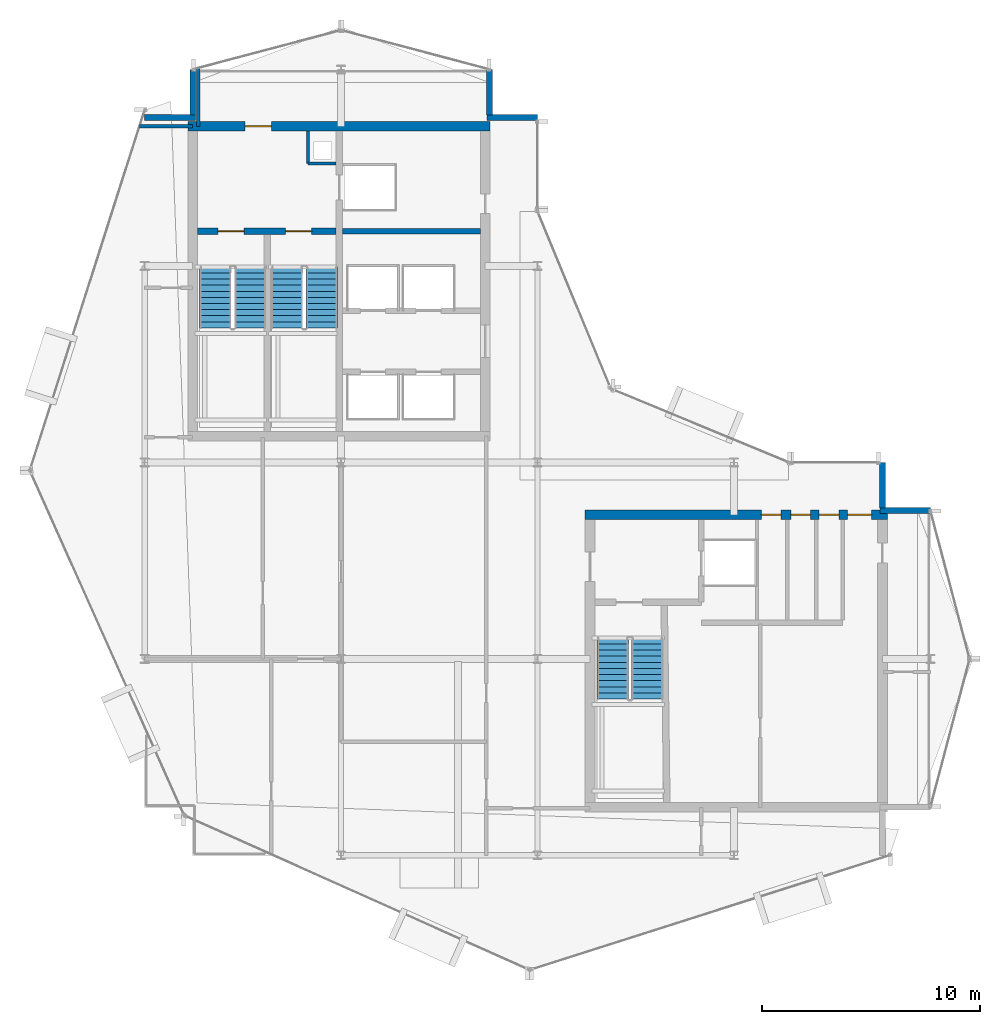
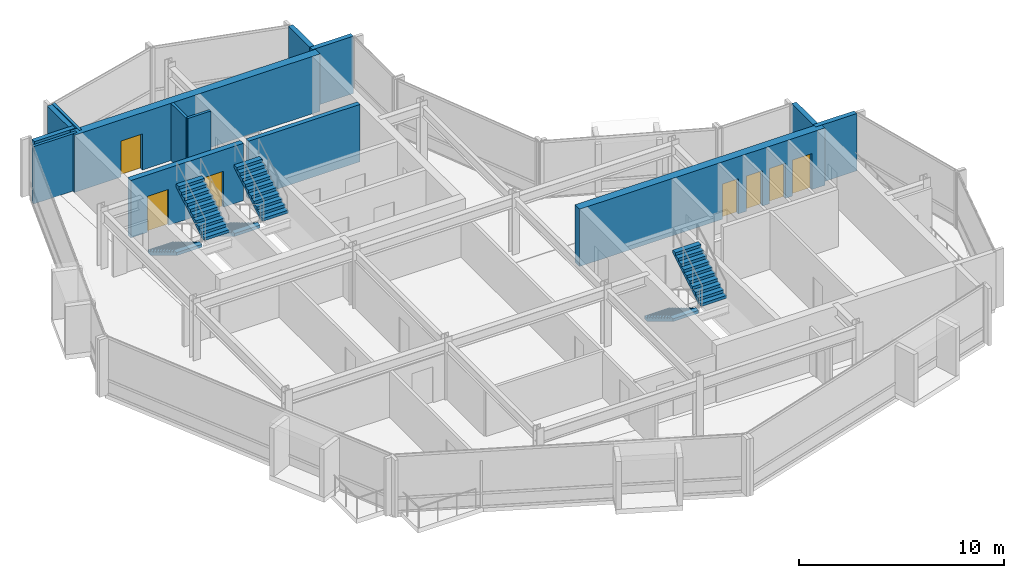
# One storey, part 15 of 19: 14 walls, 7 doors, 6 stair flights, 7 openings, 3 elements without a shape of their own.
"""IFC4 building model written with IfcOpenShell, lengths in metres."""

from ifc_helpers import new_model, si_unit, direction, frame, frame_2d, origin, place, context, subcontext, project, spatial, polyline, rectangle, outline, extrude, material, layer, layer_set, type_object, element, fill, aggregate, save


model = new_model("IFC4")

# Units and contexts
model_context = context("Model", 3, precision=1e-05, world=origin(), true_north=direction((0.0, 1.0)))
body_context = subcontext(model_context, "Body", "Model", "MODEL_VIEW")
ifc_project = project(units=[si_unit("LENGTHUNIT", "METRE"), si_unit("AREAUNIT", "SQUARE_METRE"), si_unit("VOLUMEUNIT", "CUBIC_METRE"), si_unit("PLANEANGLEUNIT", "RADIAN"), si_unit("MASSUNIT", "GRAM", prefix="KILO")], contexts=[model_context])

# Site, building, storey
site_placement = place(None, origin())
site = spatial("IfcSite", under=ifc_project, at=site_placement, CompositionType="ELEMENT")
building_placement = place(site_placement, origin())
building = spatial("IfcBuilding", under=site, at=building_placement, Name="Solvaryn Broadcast Tower", CompositionType="ELEMENT")
storey_placement = place(building_placement, frame((0.0, 0.0, 255.60009765625)))
storey = spatial("IfcBuildingStorey", under=building, at=storey_placement, Name="L64", CompositionType="ELEMENT", Elevation=255.60009765625)

# Wall, opening, door
ifc_material_1 = material(Name="Concrete f'c 70 MPa", Category="concrete")
ifc_layer_1 = layer(ifc_material_1, 0.449951171875)
ifc_layer_set_1 = layer_set([ifc_layer_1], Name="CW-SHEAR-450")
wall_type_1 = type_object("IfcWallType", Name="CW-SHEAR-450", PredefinedType="SHEAR", material=ifc_layer_set_1)
wall_1_placement = place(storey_placement, frame((24.824951171875, 42.39990234375, 0.0), z_axis=(0.0, 0.0, 1.0), x_axis=(-1.0, 0.0, 0.0)))
wall_1 = element("IfcWall", 1, at=wall_1_placement, inside=storey, type_object=wall_type_1, Name="L64 West Core North Shear Wall", PredefinedType="SHEAR", context=body_context, shape_type="SweptSolid", body=[
    extrude(rectangle(XDim=13.849853515625, YDim=0.449951171875, at=frame_2d((6.9248046875, 0.0))), origin(), (0.0, 0.0, 1.0), 3.419921875),
])
opening_1_placement = place(wall_1_placement, frame((10.02490234375, 0.0, 0.0)))
opening_1 = element("IfcOpeningElement", 2, at=opening_1_placement, cuts=wall_1, Name="Opening FD90A", PredefinedType="OPENING", context=body_context, shape_type="SweptSolid", body=[
    extrude(rectangle(XDim=1.199951171875, YDim=2.14990234375, at=frame_2d((0.60009765625, 1.074951171875))), frame((0.0, 0.235107421875, 0.0), z_axis=(0.0, -1.0, 0.0), x_axis=(1.0, 0.0, 0.0)), (0.0, 0.0, 1.0), 0.469970703125),
])
ifc_material_2 = material(Name="Flush Acoustic Steel and Timber Door Assembly", Category="steel")
door_type_1 = type_object("IfcDoorType", Name="FD90-STAIR-1200X2150", OperationType="NOTDEFINED", PredefinedType="DOOR", material=ifc_material_2)
door_1_placement = place(opening_1_placement, origin())
door_1 = element("IfcDoor", 3, at=door_1_placement, inside=storey, type_object=door_type_1, Name="L64 West FSAE Lobby Corridor Door", OperationType="SINGLE_SWING_LEFT", OverallHeight=2.14990234375, OverallWidth=1.199951171875, PredefinedType="DOOR", context=body_context, shape_type="SweptSolid", body=[
    extrude(rectangle(XDim=1.199951171875, YDim=2.14990234375, at=frame_2d((0.60009765625, 1.074951171875))), frame((0.0, 0.02490234375, 0.0), z_axis=(0.0, -1.0, 0.0), x_axis=(1.0, 0.0, 0.0)), (0.0, 0.0, 1.0), 0.050048828125),
])
fill(opening_1, door_1)

# Wall, openings, doors
wall_2_placement = place(storey_placement, frame((43.02490234375, 24.60009765625, 0.0), z_axis=(0.0, 0.0, 1.0), x_axis=(-1.0, 0.0, 0.0)))
wall_2 = element("IfcWall", 4, at=wall_2_placement, inside=storey, type_object=wall_type_1, Name="L64 East Core North Shear Wall", PredefinedType="SHEAR", context=body_context, shape_type="SweptSolid", body=[
    extrude(rectangle(XDim=13.849853515625, YDim=0.449951171875, at=frame_2d((6.9248046875, 0.0))), origin(), (0.0, 0.0, 1.0), 3.419921875),
])
opening_2_placement = place(wall_2_placement, frame((0.72509765625, 0.0, 0.0)))
opening_2 = element("IfcOpeningElement", 5, at=opening_2_placement, cuts=wall_2, Name="Opening FD90C", PredefinedType="OPENING", context=body_context, shape_type="SweptSolid", body=[
    extrude(rectangle(XDim=1.10009765625, YDim=2.14990234375, at=frame_2d((0.550048828125, 1.074951171875))), frame((0.0, 0.235107421875, 0.0), z_axis=(0.0, -1.0, 0.0), x_axis=(1.0, 0.0, 0.0)), (0.0, 0.0, 1.0), 0.469970703125),
])
opening_3_placement = place(wall_2_placement, frame((2.22509765625, 0.0, 0.0)))
opening_3 = element("IfcOpeningElement", 6, at=opening_3_placement, cuts=wall_2, Name="Opening FD60C", PredefinedType="OPENING", context=body_context, shape_type="SweptSolid", body=[
    extrude(rectangle(XDim=0.89990234375, YDim=2.10009765625, at=frame_2d((0.449951171875, 1.050048828125))), frame((0.0, 0.235107421875, 0.0), z_axis=(0.0, -1.0, 0.0), x_axis=(1.0, 0.0, 0.0)), (0.0, 0.0, 1.0), 0.469970703125),
])
opening_4_placement = place(wall_2_placement, frame((3.52490234375, 0.0, 0.0)))
opening_4 = element("IfcOpeningElement", 7, at=opening_4_placement, cuts=wall_2, Name="Opening FD60C", PredefinedType="OPENING", context=body_context, shape_type="SweptSolid", body=[
    extrude(rectangle(XDim=0.89990234375, YDim=2.10009765625, at=frame_2d((0.449951171875, 1.050048828125))), frame((0.0, 0.235107421875, 0.0), z_axis=(0.0, -1.0, 0.0), x_axis=(1.0, 0.0, 0.0)), (0.0, 0.0, 1.0), 0.469970703125),
])
opening_5_placement = place(wall_2_placement, frame((4.875, 0.0, 0.0)))
opening_5 = element("IfcOpeningElement", 8, at=opening_5_placement, cuts=wall_2, Name="Opening FD60C", PredefinedType="OPENING", context=body_context, shape_type="SweptSolid", body=[
    extrude(rectangle(XDim=0.89990234375, YDim=2.10009765625, at=frame_2d((0.449951171875, 1.050048828125))), frame((0.0, 0.235107421875, 0.0), z_axis=(0.0, -1.0, 0.0), x_axis=(1.0, 0.0, 0.0)), (0.0, 0.0, 1.0), 0.469970703125),
])
ifc_material_3 = material(Name="Flush Acoustic Steel and Timber Door Assembly", Category="steel")
door_type_2 = type_object("IfcDoorType", Name="FD60-SERV-900X2100", OperationType="NOTDEFINED", PredefinedType="DOOR", material=ifc_material_3)
door_2_placement = place(opening_3_placement, origin())
door_2 = element("IfcDoor", 9, at=door_2_placement, inside=storey, type_object=door_type_2, Name="L64 Core Wellness Room Door", OperationType="SINGLE_SWING_RIGHT", OverallHeight=2.10009765625, OverallWidth=0.89990234375, PredefinedType="DOOR", context=body_context, shape_type="SweptSolid", body=[
    extrude(rectangle(XDim=0.89990234375, YDim=2.10009765625, at=frame_2d((0.449951171875, 1.050048828125))), frame((0.0, 0.02490234375, 0.0), z_axis=(0.0, -1.0, 0.0), x_axis=(1.0, 0.0, 0.0)), (0.0, 0.0, 1.0), 0.050048828125),
])
fill(opening_3, door_2)
door_3_placement = place(opening_4_placement, origin())
door_3 = element("IfcDoor", 10, at=door_3_placement, inside=storey, type_object=door_type_2, Name="L64 Staff Restroom Door", OperationType="SINGLE_SWING_LEFT", OverallHeight=2.10009765625, OverallWidth=0.89990234375, PredefinedType="DOOR", context=body_context, shape_type="SweptSolid", body=[
    extrude(rectangle(XDim=0.89990234375, YDim=2.10009765625, at=frame_2d((0.449951171875, 1.050048828125))), frame((0.0, 0.02490234375, 0.0), z_axis=(0.0, -1.0, 0.0), x_axis=(1.0, 0.0, 0.0)), (0.0, 0.0, 1.0), 0.050048828125),
])
fill(opening_4, door_3)
door_4_placement = place(opening_5_placement, origin())
door_4 = element("IfcDoor", 11, at=door_4_placement, inside=storey, type_object=door_type_2, Name="L64 Accessible WC Door", OperationType="SINGLE_SWING_RIGHT", OverallHeight=2.10009765625, OverallWidth=0.89990234375, PredefinedType="DOOR", context=body_context, shape_type="SweptSolid", body=[
    extrude(rectangle(XDim=0.89990234375, YDim=2.10009765625, at=frame_2d((0.449951171875, 1.050048828125))), frame((0.0, 0.02490234375, 0.0), z_axis=(0.0, -1.0, 0.0), x_axis=(1.0, 0.0, 0.0)), (0.0, 0.0, 1.0), 0.050048828125),
])
fill(opening_5, door_4)
ifc_material_4 = material(Name="Flush Acoustic Steel and Timber Door Assembly", Category="steel")
door_type_3 = type_object("IfcDoorType", Name="FD90-PLANT-1100X2150", OperationType="NOTDEFINED", PredefinedType="DOOR", material=ifc_material_4)
door_5_placement = place(opening_2_placement, origin())
door_5 = element("IfcDoor", 12, at=door_5_placement, inside=storey, type_object=door_type_3, Name="L64 East Core Lobby Corridor Door", OperationType="SINGLE_SWING_LEFT", OverallHeight=2.14990234375, OverallWidth=1.10009765625, PredefinedType="DOOR", context=body_context, shape_type="SweptSolid", body=[
    extrude(rectangle(XDim=1.10009765625, YDim=2.14990234375, at=frame_2d((0.550048828125, 1.074951171875))), frame((0.0, 0.02490234375, 0.0), z_axis=(0.0, -1.0, 0.0), x_axis=(1.0, 0.0, 0.0)), (0.0, 0.0, 1.0), 0.050048828125),
])
fill(opening_2, door_5)

# Walls
ifc_material_5 = material(Name="Concrete f'c 50 MPa", Category="concrete")
ifc_layer_2 = layer(ifc_material_5, 0.260009765625)
ifc_layer_set_2 = layer_set([ifc_layer_2], Name="EW-PIER-260")
wall_type_2 = type_object("IfcWallType", Name="EW-PIER-260", PredefinedType="SOLIDWALL", material=ifc_layer_set_2)
wall_3_placement = place(storey_placement, frame((9.0, 42.800048828125, 0.0), z_axis=(0.0, 0.0, 1.0), x_axis=(1.0, 0.0, 0.0)))
element("IfcWall", 13, at=wall_3_placement, inside=storey, type_object=wall_type_2, Name="L64 Notched Corner Pier Wall NNW1", PredefinedType="SOLIDWALL", context=body_context, shape_type="SweptSolid", body=[
    extrude(rectangle(XDim=2.320068359375, YDim=0.260009765625, at=frame_2d((1.16015625, 0.0))), origin(), (0.0, 0.0, 1.0), 3.419921875),
])
for number, where, z_axis, x_axis, name in (
    (14, (11.199951171875, 42.919921875, 0.0), (0.0, 0.0, 1.0), (0.0, 1.0, 0.0), "L64 Notched Corner Pier Wall NNW2"),
    (15, (24.800048828125, 45.0, 0.0), (0.0, 0.0, 1.0), (0.0, -1.0, 0.0), "L64 Notched Corner Pier Wall NNE1"),
):
    element("IfcWall", number, at=place(storey_placement, frame(where, z_axis=z_axis, x_axis=x_axis)), inside=storey, type_object=wall_type_2, Name=name, PredefinedType="SOLIDWALL", context=body_context, shape_type="SweptSolid", body=[
        extrude(rectangle(XDim=2.080078125, YDim=0.260009765625, at=frame_2d((1.0400390625, 0.0))), origin(), (0.0, 0.0, 1.0), 3.419921875),
    ])
for number, where, z_axis, x_axis, name in (
    (16, (24.679931640625, 42.800048828125, 0.0), (0.0, 0.0, 1.0), (1.0, 0.0, 0.0), "L64 Notched Corner Pier Wall NNE2"),
    (17, (45.0, 24.800048828125, 0.0), (0.0, 0.0, 1.0), (-1.0, 0.0, 0.0), "L64 Notched Corner Pier Wall NEE1"),
):
    element("IfcWall", number, at=place(storey_placement, frame(where, z_axis=z_axis, x_axis=x_axis)), inside=storey, type_object=wall_type_2, Name=name, PredefinedType="SOLIDWALL", context=body_context, shape_type="SweptSolid", body=[
        extrude(rectangle(XDim=2.320068359375, YDim=0.260009765625, at=frame_2d((1.16015625, 0.0))), origin(), (0.0, 0.0, 1.0), 3.419921875),
    ])
wall_4_placement = place(storey_placement, frame((42.800048828125, 24.919921875, 0.0), z_axis=(0.0, 0.0, 1.0), x_axis=(0.0, 1.0, 0.0)))
element("IfcWall", 18, at=wall_4_placement, inside=storey, type_object=wall_type_2, Name="L64 Notched Corner Pier Wall NEE2", PredefinedType="SOLIDWALL", context=body_context, shape_type="SweptSolid", body=[
    extrude(rectangle(XDim=2.080078125, YDim=0.260009765625, at=frame_2d((1.0400390625, 0.0))), origin(), (0.0, 0.0, 1.0), 3.419921875),
])
ifc_material_6 = material(Name="Metal-Stud Service Core Partition")
ifc_layer_3 = layer(ifc_material_6, 0.14990234375)
ifc_layer_set_3 = layer_set([ifc_layer_3], Name="IW-PART-150")
wall_type_3 = type_object("IfcWallType", Name="IW-PART-150", PredefinedType="PARTITIONING", material=ifc_layer_set_3)
wall_5_placement = place(storey_placement, frame((16.47998046875, 40.699951171875, 0.0), z_axis=(0.0, 0.0, 1.0), x_axis=(1.0, 0.0, 0.0)))
element("IfcWall", 19, at=wall_5_placement, inside=storey, type_object=wall_type_3, Name="L64 West Core Riser Shaft South Wall", PredefinedType="PARTITIONING", context=body_context, shape_type="SweptSolid", body=[
    extrude(rectangle(XDim=1.2900390625, YDim=0.14990234375, at=frame_2d((0.64501953125, 0.0))), origin(), (0.0, 0.0, 1.0), 3.419921875),
])
wall_6_placement = place(storey_placement, frame((16.47998046875, 40.699951171875, 0.0), z_axis=(0.0, 0.0, 1.0), x_axis=(0.0, 1.0, 0.0)))
element("IfcWall", 20, at=wall_6_placement, inside=storey, type_object=wall_type_3, Name="L64 West Core Riser Shaft West Wall", PredefinedType="PARTITIONING", context=body_context, shape_type="SweptSolid", body=[
    extrude(rectangle(XDim=1.47509765625, YDim=0.14990234375, at=frame_2d((0.737548828125, 0.0))), origin(), (0.0, 0.0, 1.0), 3.419921875),
])
ifc_material_7 = material(Name="Metal-Stud Gypsum Office Partition")
ifc_layer_4 = layer(ifc_material_7, 0.159912109375)
ifc_layer_set_4 = layer_set([ifc_layer_4], Name="IW-PART-160")
wall_type_4 = type_object("IfcWallType", Name="IW-PART-160", PredefinedType="PARTITIONING", material=ifc_layer_set_4)
wall_7_placement = place(storey_placement, frame((8.760986328125, 42.39990234375, 0.0), z_axis=(0.0, 0.0, 1.0), x_axis=(1.0, 0.0, 0.0)))
element("IfcWall", 21, at=wall_7_placement, inside=storey, type_object=wall_type_4, Name="L64 Interior Partition IW-L64-WM-N", PredefinedType="PARTITIONING", context=body_context, shape_type="SweptSolid", body=[
    extrude(rectangle(XDim=2.43896484375, YDim=0.159912109375, at=frame_2d((1.219482421875, 0.0))), origin(), (0.0, 0.0, 1.0), 3.419921875),
])
wall_8_placement = place(storey_placement, frame((11.449951171875, 42.39990234375, 0.0), z_axis=(0.0, 0.0, 1.0), x_axis=(0.0, 1.0, 0.0)))
element("IfcWall", 22, at=wall_8_placement, inside=storey, type_object=wall_type_4, Name="L64 Interior Partition IW-L64-WM-E", PredefinedType="PARTITIONING", context=body_context, shape_type="SweptSolid", body=[
    extrude(rectangle(XDim=2.666015625, YDim=0.159912109375, at=frame_2d((1.3330078125, 0.0))), origin(), (0.0, 0.0, 1.0), 3.419921875),
])
ifc_material_8 = material(Name="Concrete f'c 60 MPa", Category="concrete")
ifc_layer_5 = layer(ifc_material_8, 0.25)
ifc_layer_set_5 = layer_set([ifc_layer_5], Name="SW-SHAFT-250")
wall_type_5 = type_object("IfcWallType", Name="SW-SHAFT-250", PredefinedType="PARTITIONING", material=ifc_layer_set_5)
wall_9_placement = place(storey_placement, frame((18.070068359375, 37.60009765625, 0.0), z_axis=(0.0, 0.0, 1.0), x_axis=(1.0, 0.0, 0.0)))
element("IfcWall", 23, at=wall_9_placement, inside=storey, type_object=wall_type_5, Name="L64 West Core FSAE Hoistway Front Wall", PredefinedType="PARTITIONING", context=body_context, shape_type="SweptSolid", body=[
    extrude(rectangle(XDim=6.304931640625, YDim=0.25, at=frame_2d((3.15234375, 0.0))), origin(), (0.0, 0.0, 1.0), 3.419921875),
])

# Wall, openings, doors
ifc_material_9 = material(Name="Concrete f'c 70 MPa", Category="concrete")
ifc_layer_6 = layer(ifc_material_9, 0.300048828125)
ifc_layer_set_6 = layer_set([ifc_layer_6], Name="SW-SHAFT-300")
wall_type_6 = type_object("IfcWallType", Name="SW-SHAFT-300", PredefinedType="SHEAR", material=ifc_layer_set_6)
wall_10_placement = place(storey_placement, frame((17.77001953125, 37.60009765625, 0.0), z_axis=(0.0, 0.0, 1.0), x_axis=(-1.0, 0.0, 0.0)))
wall_10 = element("IfcWall", 24, at=wall_10_placement, inside=storey, type_object=wall_type_6, Name="L64 West Core FSAE Lobby South Wall", PredefinedType="SHEAR", context=body_context, shape_type="SweptSolid", body=[
    extrude(rectangle(XDim=6.344970703125, YDim=0.300048828125, at=frame_2d((3.17236328125, 0.0))), origin(), (0.0, 0.0, 1.0), 3.419921875),
])
opening_6_placement = place(wall_10_placement, frame((4.219970703125, 0.0, 0.0)))
opening_6 = element("IfcOpeningElement", 25, at=opening_6_placement, cuts=wall_10, Name="Opening FD90A", PredefinedType="OPENING", context=body_context, shape_type="SweptSolid", body=[
    extrude(rectangle(XDim=1.199951171875, YDim=2.14990234375, at=frame_2d((0.60009765625, 1.074951171875))), frame((0.0, 0.159912109375, 0.0), z_axis=(0.0, -1.0, 0.0), x_axis=(1.0, 0.0, 0.0)), (0.0, 0.0, 1.0), 0.320068359375),
])
opening_7_placement = place(wall_10_placement, frame((1.1201171875, 0.0, 0.0)))
opening_7 = element("IfcOpeningElement", 26, at=opening_7_placement, cuts=wall_10, Name="Opening FD90A", PredefinedType="OPENING", context=body_context, shape_type="SweptSolid", body=[
    extrude(rectangle(XDim=1.199951171875, YDim=2.14990234375, at=frame_2d((0.60009765625, 1.074951171875))), frame((0.0, 0.159912109375, 0.0), z_axis=(0.0, -1.0, 0.0), x_axis=(1.0, 0.0, 0.0)), (0.0, 0.0, 1.0), 0.320068359375),
])
door_6_placement = place(opening_6_placement, origin())
door_6 = element("IfcDoor", 27, at=door_6_placement, inside=storey, type_object=door_type_1, Name="L64 Stair 1 Fire Door", OperationType="SINGLE_SWING_LEFT", OverallHeight=2.14990234375, OverallWidth=1.199951171875, PredefinedType="DOOR", context=body_context, shape_type="SweptSolid", body=[
    extrude(rectangle(XDim=1.199951171875, YDim=2.14990234375, at=frame_2d((0.60009765625, 1.074951171875))), frame((0.0, 0.02490234375, 0.0), z_axis=(0.0, -1.0, 0.0), x_axis=(1.0, 0.0, 0.0)), (0.0, 0.0, 1.0), 0.050048828125),
])
fill(opening_6, door_6)
door_7_placement = place(opening_7_placement, origin())
door_7 = element("IfcDoor", 28, at=door_7_placement, inside=storey, type_object=door_type_1, Name="L64 Stair 2 Fire Door", OperationType="SINGLE_SWING_RIGHT", OverallHeight=2.14990234375, OverallWidth=1.199951171875, PredefinedType="DOOR", context=body_context, shape_type="SweptSolid", body=[
    extrude(rectangle(XDim=1.199951171875, YDim=2.14990234375, at=frame_2d((0.60009765625, 1.074951171875))), frame((0.0, 0.02490234375, 0.0), z_axis=(0.0, -1.0, 0.0), x_axis=(1.0, 0.0, 0.0)), (0.0, 0.0, 1.0), 0.050048828125),
])
fill(opening_7, door_7)

# Stair, stair flights
ifc_material_10 = material(Name="Concrete f'c 60 MPa", Category="concrete")
stair_type = type_object("IfcStairType", Name="ST-CORE", PredefinedType="HALF_TURN_STAIR", material=ifc_material_10)
stair_1_placement = place(storey_placement, origin())
stair_1 = element("IfcStair", 29, at=stair_1_placement, inside=storey, type_object=stair_type, Name="L64 ST1", PredefinedType="HALF_TURN_STAIR")
ifc_material_11 = material(Name="Concrete f'c 60 MPa", Category="concrete")
ifc_layer_7 = layer(ifc_material_11, 0.159912109375)
ifc_layer_set_7 = layer_set([ifc_layer_7], Name="SF-CORE")
stair_flight_type = type_object("IfcStairFlightType", Name="SF-CORE", PredefinedType="STRAIGHT", material=ifc_layer_set_7)
stair_flight_1_placement = place(storey_placement, frame((12.239990234375, 35.9599609375, 0.0), z_axis=(0.0, 0.0, 1.0), x_axis=(0.0, -1.0, 0.0)))
stair_flight_1 = element("IfcStairFlight", 30, at=stair_flight_1_placement, type_object=stair_flight_type, Name="ST1 flight 1", NumberOfRisers=11, NumberOfTreads=10, PredefinedType="STRAIGHT", RiserHeight=0.168181818, TreadLength=0.28, context=body_context, shape_type="SweptSolid", body=[
    extrude(outline(polyline([(0.0, 0.0), (0.0, 0.168212890625), (0.280029296875, 0.168212890625), (0.280029296875, 0.33642578125), (0.56005859375, 0.33642578125), (0.56005859375, 0.504638671875), (0.840087890625, 0.504638671875), (0.840087890625, 0.672607421875), (1.1201171875, 0.672607421875), (1.1201171875, 0.8408203125), (1.39990234375, 0.8408203125), (1.39990234375, 1.009033203125), (1.679931640625, 1.009033203125), (1.679931640625, 1.17724609375), (1.9599609375, 1.17724609375), (1.9599609375, 1.345458984375), (2.239990234375, 1.345458984375), (2.239990234375, 1.513671875), (2.52001953125, 1.513671875), (2.52001953125, 1.681884765625), (2.800048828125, 1.681884765625), (2.800048828125, 1.85009765625), (2.800048828125, 1.5068359375), (0.291015625, 0.0), (0.0, 0.0)])), frame((0.0, 0.719970703125, 0.0), z_axis=(0.0, -1.0, 0.0), x_axis=(1.0, 0.0, 0.0)), (0.0, 0.0, 1.0), 1.43994140625),
])
stair_flight_2_placement = place(storey_placement, frame((13.830078125, 33.159912109375, 1.849853515625), z_axis=(0.0, 0.0, 1.0), x_axis=(0.0, 1.0, 0.0)))
stair_flight_2 = element("IfcStairFlight", 31, at=stair_flight_2_placement, type_object=stair_flight_type, Name="ST1 flight 2", NumberOfRisers=11, NumberOfTreads=10, PredefinedType="STRAIGHT", RiserHeight=0.168181818, TreadLength=0.28, context=body_context, shape_type="SweptSolid", body=[
    extrude(outline(polyline([(0.0, 0.0), (0.0, 0.168212890625), (0.280029296875, 0.168212890625), (0.280029296875, 0.33642578125), (0.56005859375, 0.33642578125), (0.56005859375, 0.504638671875), (0.840087890625, 0.504638671875), (0.840087890625, 0.672607421875), (1.1201171875, 0.672607421875), (1.1201171875, 0.8408203125), (1.39990234375, 0.8408203125), (1.39990234375, 1.009033203125), (1.679931640625, 1.009033203125), (1.679931640625, 1.17724609375), (1.9599609375, 1.17724609375), (1.9599609375, 1.345458984375), (2.239990234375, 1.345458984375), (2.239990234375, 1.513671875), (2.52001953125, 1.513671875), (2.52001953125, 1.681884765625), (2.800048828125, 1.681884765625), (2.800048828125, 1.85009765625), (2.800048828125, 1.5068359375), (0.291015625, 0.0), (0.0, 0.0)])), frame((0.0, 0.719970703125, 0.0), z_axis=(0.0, -1.0, 0.0), x_axis=(1.0, 0.0, 0.0)), (0.0, 0.0, 1.0), 1.43994140625),
])
aggregate(stair_1, [stair_flight_1, stair_flight_2])

stair_2_placement = place(storey_placement, origin())
stair_2 = element("IfcStair", 32, at=stair_2_placement, inside=storey, type_object=stair_type, Name="L64 ST2", PredefinedType="HALF_TURN_STAIR")
stair_flight_3_placement = place(storey_placement, frame((15.52001953125, 35.9599609375, 0.0), z_axis=(0.0, 0.0, 1.0), x_axis=(0.0, -1.0, 0.0)))
stair_flight_3 = element("IfcStairFlight", 33, at=stair_flight_3_placement, type_object=stair_flight_type, Name="ST2 flight 1", NumberOfRisers=11, NumberOfTreads=10, PredefinedType="STRAIGHT", RiserHeight=0.168181818, TreadLength=0.28, context=body_context, shape_type="SweptSolid", body=[
    extrude(outline(polyline([(0.0, 0.0), (0.0, 0.168212890625), (0.280029296875, 0.168212890625), (0.280029296875, 0.33642578125), (0.56005859375, 0.33642578125), (0.56005859375, 0.504638671875), (0.840087890625, 0.504638671875), (0.840087890625, 0.672607421875), (1.1201171875, 0.672607421875), (1.1201171875, 0.8408203125), (1.39990234375, 0.8408203125), (1.39990234375, 1.009033203125), (1.679931640625, 1.009033203125), (1.679931640625, 1.17724609375), (1.9599609375, 1.17724609375), (1.9599609375, 1.345458984375), (2.239990234375, 1.345458984375), (2.239990234375, 1.513671875), (2.52001953125, 1.513671875), (2.52001953125, 1.681884765625), (2.800048828125, 1.681884765625), (2.800048828125, 1.85009765625), (2.800048828125, 1.5068359375), (0.291015625, 0.0), (0.0, 0.0)])), frame((0.0, 0.719970703125, 0.0), z_axis=(0.0, -1.0, 0.0), x_axis=(1.0, 0.0, 0.0)), (0.0, 0.0, 1.0), 1.43994140625),
])
stair_flight_4_placement = place(storey_placement, frame((17.110107421875, 33.159912109375, 1.849853515625), z_axis=(0.0, 0.0, 1.0), x_axis=(0.0, 1.0, 0.0)))
stair_flight_4 = element("IfcStairFlight", 34, at=stair_flight_4_placement, type_object=stair_flight_type, Name="ST2 flight 2", NumberOfRisers=11, NumberOfTreads=10, PredefinedType="STRAIGHT", RiserHeight=0.168181818, TreadLength=0.28, context=body_context, shape_type="SweptSolid", body=[
    extrude(outline(polyline([(0.0, 0.0), (0.0, 0.168212890625), (0.280029296875, 0.168212890625), (0.280029296875, 0.33642578125), (0.56005859375, 0.33642578125), (0.56005859375, 0.504638671875), (0.840087890625, 0.504638671875), (0.840087890625, 0.672607421875), (1.1201171875, 0.672607421875), (1.1201171875, 0.8408203125), (1.39990234375, 0.8408203125), (1.39990234375, 1.009033203125), (1.679931640625, 1.009033203125), (1.679931640625, 1.17724609375), (1.9599609375, 1.17724609375), (1.9599609375, 1.345458984375), (2.239990234375, 1.345458984375), (2.239990234375, 1.513671875), (2.52001953125, 1.513671875), (2.52001953125, 1.681884765625), (2.800048828125, 1.681884765625), (2.800048828125, 1.85009765625), (2.800048828125, 1.5068359375), (0.291015625, 0.0), (0.0, 0.0)])), frame((0.0, 0.719970703125, 0.0), z_axis=(0.0, -1.0, 0.0), x_axis=(1.0, 0.0, 0.0)), (0.0, 0.0, 1.0), 1.43994140625),
])
aggregate(stair_2, [stair_flight_3, stair_flight_4])

stair_3_placement = place(storey_placement, origin())
stair_3 = element("IfcStair", 35, at=stair_3_placement, inside=storey, type_object=stair_type, Name="L64 ST3", PredefinedType="HALF_TURN_STAIR")
stair_flight_5_placement = place(storey_placement, frame((30.43994140625, 18.9599609375, 0.0), z_axis=(0.0, 0.0, 1.0), x_axis=(0.0, -1.0, 0.0)))
stair_flight_5 = element("IfcStairFlight", 36, at=stair_flight_5_placement, type_object=stair_flight_type, Name="ST3 flight 1", NumberOfRisers=11, NumberOfTreads=10, PredefinedType="STRAIGHT", RiserHeight=0.168181818, TreadLength=0.28, context=body_context, shape_type="SweptSolid", body=[
    extrude(outline(polyline([(0.0, 0.0), (0.0, 0.168212890625), (0.280029296875, 0.168212890625), (0.280029296875, 0.33642578125), (0.56005859375, 0.33642578125), (0.56005859375, 0.504638671875), (0.840087890625, 0.504638671875), (0.840087890625, 0.672607421875), (1.1201171875, 0.672607421875), (1.1201171875, 0.8408203125), (1.39990234375, 0.8408203125), (1.39990234375, 1.009033203125), (1.679931640625, 1.009033203125), (1.679931640625, 1.17724609375), (1.9599609375, 1.17724609375), (1.9599609375, 1.345458984375), (2.239990234375, 1.345458984375), (2.239990234375, 1.513671875), (2.52001953125, 1.513671875), (2.52001953125, 1.681884765625), (2.800048828125, 1.681884765625), (2.800048828125, 1.85009765625), (2.800048828125, 1.5068359375), (0.291015625, 0.0), (0.0, 0.0)])), frame((0.0, 0.719970703125, 0.0), z_axis=(0.0, -1.0, 0.0), x_axis=(1.0, 0.0, 0.0)), (0.0, 0.0, 1.0), 1.43994140625),
])
stair_flight_6_placement = place(storey_placement, frame((32.030029296875, 16.159912109375, 1.849853515625), z_axis=(0.0, 0.0, 1.0), x_axis=(0.0, 1.0, 0.0)))
stair_flight_6 = element("IfcStairFlight", 37, at=stair_flight_6_placement, type_object=stair_flight_type, Name="ST3 flight 2", NumberOfRisers=11, NumberOfTreads=10, PredefinedType="STRAIGHT", RiserHeight=0.168181818, TreadLength=0.28, context=body_context, shape_type="SweptSolid", body=[
    extrude(outline(polyline([(0.0, 0.0), (0.0, 0.168212890625), (0.280029296875, 0.168212890625), (0.280029296875, 0.33642578125), (0.56005859375, 0.33642578125), (0.56005859375, 0.504638671875), (0.840087890625, 0.504638671875), (0.840087890625, 0.672607421875), (1.1201171875, 0.672607421875), (1.1201171875, 0.8408203125), (1.39990234375, 0.8408203125), (1.39990234375, 1.009033203125), (1.679931640625, 1.009033203125), (1.679931640625, 1.17724609375), (1.9599609375, 1.17724609375), (1.9599609375, 1.345458984375), (2.239990234375, 1.345458984375), (2.239990234375, 1.513671875), (2.52001953125, 1.513671875), (2.52001953125, 1.681884765625), (2.800048828125, 1.681884765625), (2.800048828125, 1.85009765625), (2.800048828125, 1.5068359375), (0.291015625, 0.0), (0.0, 0.0)])), frame((0.0, 0.719970703125, 0.0), z_axis=(0.0, -1.0, 0.0), x_axis=(1.0, 0.0, 0.0)), (0.0, 0.0, 1.0), 1.43994140625),
])
aggregate(stair_3, [stair_flight_5, stair_flight_6])

save(model, "model.ifc")
